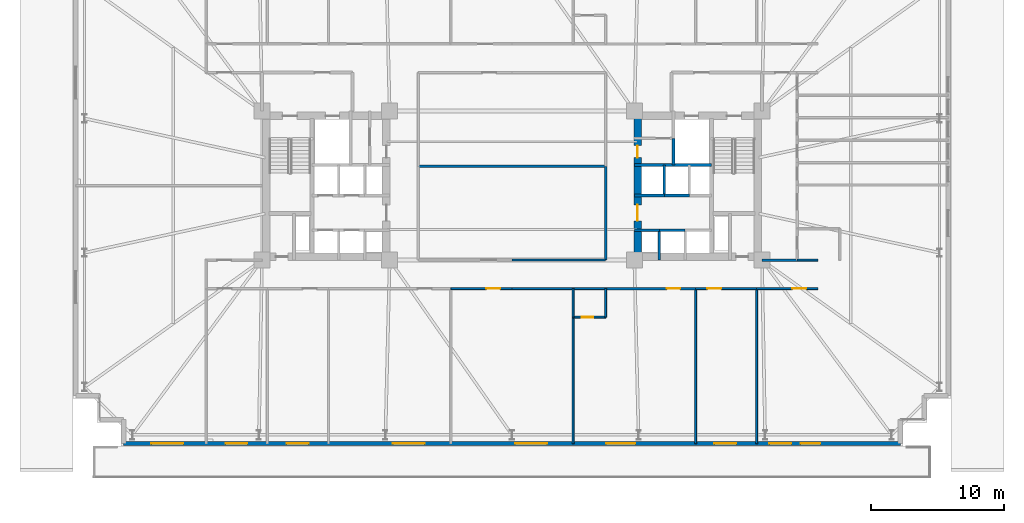
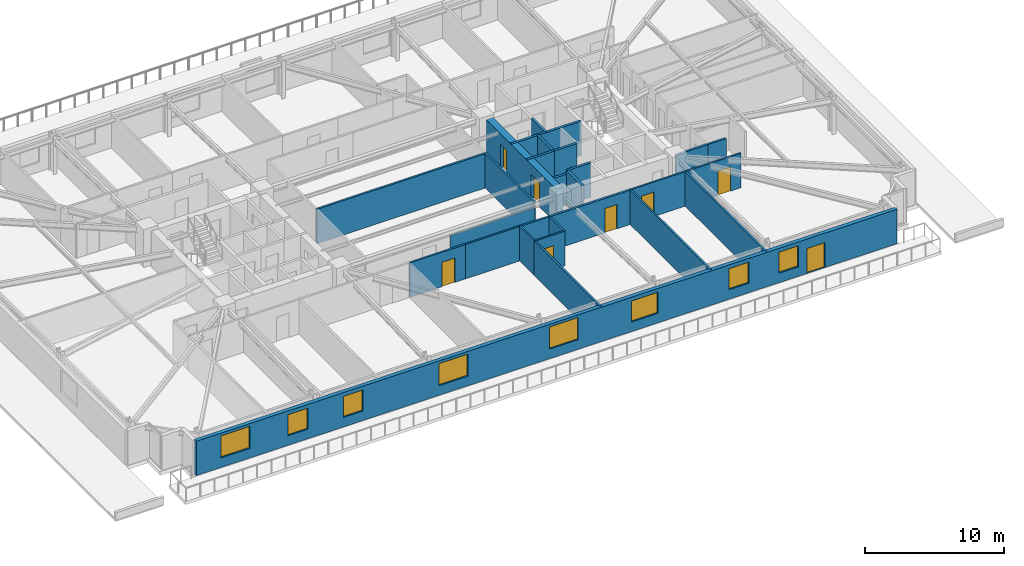
# One storey, part 13 of 21: 27 walls, 8 doors, 8 windows, 16 openings.
"""IFC4 building model written with IfcOpenShell, lengths in metres."""

from ifc_helpers import new_model, si_unit, direction, frame, frame_2d, origin, place, context, subcontext, project, spatial, rectangle, extrude, material, layer, layer_set, type_object, element, fill, save


model = new_model("IFC4")

# Units and contexts
model_context = context("Model", 3, precision=1e-05, world=origin(), true_north=direction((0.0, 1.0)))
body_context = subcontext(model_context, "Body", "Model", "MODEL_VIEW")
ifc_project = project(units=[si_unit("LENGTHUNIT", "METRE"), si_unit("AREAUNIT", "SQUARE_METRE"), si_unit("VOLUMEUNIT", "CUBIC_METRE"), si_unit("PLANEANGLEUNIT", "RADIAN"), si_unit("MASSUNIT", "GRAM", prefix="KILO")], contexts=[model_context])

# Site, building, storey
site_placement = place(None, origin())
site = spatial("IfcSite", under=ifc_project, at=site_placement, CompositionType="ELEMENT")
building_placement = place(site_placement, origin())
building = spatial("IfcBuilding", under=site, at=building_placement, Name="Qobustan Lattice House", CompositionType="ELEMENT")
storey_placement = place(building_placement, frame((0.0, 0.0, 27.0)))
storey = spatial("IfcBuildingStorey", under=building, at=storey_placement, Name="L06", CompositionType="ELEMENT", Elevation=27.0)

# Wall, openings, doors
ifc_material_1 = material(Name="Concrete C60/75", Category="concrete")
ifc_layer_1 = layer(ifc_material_1, 0.56005859375)
ifc_layer_set_1 = layer_set([ifc_layer_1], Name="Concrete C60/75")
wall_type_1 = type_object("IfcWallType", Name="WAL-CORE-600", PredefinedType="SHEAR", material=ifc_layer_set_1)
wall_1_placement = place(storey_placement, frame((9.449951171875, -5.050048828125, 0.0), z_axis=(0.0, 0.0, 1.0), x_axis=(0.0, 1.0, 0.0)))
wall_1 = element("IfcWall", 1, at=wall_1_placement, inside=storey, type_object=wall_type_1, Name="L06 split-core shear wall CE-W", PredefinedType="SHEAR", context=body_context, shape_type="SweptSolid", body=[
    extrude(rectangle(XDim=10.10009765625, YDim=0.56005859375, at=frame_2d((5.050048828125, 0.0))), origin(), (0.0, 0.0, 1.0), 3.034912109375),
])
opening_1_placement = place(wall_1_placement, frame((7.14990234375, 0.0, 0.0)))
opening_1 = element("IfcOpeningElement", 2, at=opening_1_placement, cuts=wall_1, Name="Opening RD-01", PredefinedType="OPENING", context=body_context, shape_type="SweptSolid", body=[
    extrude(rectangle(XDim=0.89990234375, YDim=2.10009765625, at=frame_2d((0.449951171875, 1.050048828125))), frame((0.0, 0.2900390625, 0.0), z_axis=(0.0, -1.0, 0.0), x_axis=(1.0, 0.0, 0.0)), (0.0, 0.0, 1.0), 0.580078125),
])
opening_2_placement = place(wall_1_placement, frame((2.39990234375, 0.0, 0.0)))
opening_2 = element("IfcOpeningElement", 3, at=opening_2_placement, cuts=wall_1, Name="Opening FD-01", PredefinedType="OPENING", context=body_context, shape_type="SweptSolid", body=[
    extrude(rectangle(XDim=1.199951171875, YDim=2.14990234375, at=frame_2d((0.60009765625, 1.074951171875))), frame((0.0, 0.2900390625, 0.0), z_axis=(0.0, -1.0, 0.0), x_axis=(1.0, 0.0, 0.0)), (0.0, 0.0, 1.0), 0.580078125),
])
ifc_material_2 = material(Name="Persian walnut timber and steel frame door", Category="steel")
door_type_1 = type_object("IfcDoorType", Name="DOR-LOBBY-FD-1200x2150", OperationType="NOTDEFINED", PredefinedType="DOOR", material=ifc_material_2)
door_1_placement = place(opening_2_placement, origin())
door_1 = element("IfcDoor", 4, at=door_1_placement, inside=storey, type_object=door_type_1, Name="L06 East passenger lift lobby fire door", OperationType="SINGLE_SWING_LEFT", OverallHeight=2.14990234375, OverallWidth=1.199951171875, PredefinedType="DOOR", context=body_context, shape_type="SweptSolid", body=[
    extrude(rectangle(XDim=1.199951171875, YDim=2.14990234375, at=frame_2d((0.60009765625, 1.074951171875))), frame((0.0, 0.02490234375, 0.0), z_axis=(0.0, -1.0, 0.0), x_axis=(1.0, 0.0, 0.0)), (0.0, 0.0, 1.0), 0.050048828125),
])
fill(opening_2, door_1)
ifc_material_3 = material(Name="Persian walnut timber and steel frame door", Category="steel")
door_type_2 = type_object("IfcDoorType", Name="DOR-RISER-FD-900x2100", OperationType="NOTDEFINED", PredefinedType="DOOR", material=ifc_material_3)
door_2_placement = place(opening_1_placement, origin())
door_2 = element("IfcDoor", 5, at=door_2_placement, inside=storey, type_object=door_type_2, Name="L06 Housekeeping utility foyer fire door", OperationType="SINGLE_SWING_RIGHT", OverallHeight=2.10009765625, OverallWidth=0.89990234375, PredefinedType="DOOR", context=body_context, shape_type="SweptSolid", body=[
    extrude(rectangle(XDim=0.89990234375, YDim=2.10009765625, at=frame_2d((0.449951171875, 1.050048828125))), frame((0.0, 0.02490234375, 0.0), z_axis=(0.0, -1.0, 0.0), x_axis=(1.0, 0.0, 0.0)), (0.0, 0.0, 1.0), 0.050048828125),
])
fill(opening_1, door_2)

# Wall, openings, door, windows
ifc_material_4 = material(Name="Precast concrete C40/50", Category="concrete")
ifc_layer_2 = layer(ifc_material_4, 0.320068359375)
ifc_layer_set_2 = layer_set([ifc_layer_2], Name="Precast concrete C40/50")
wall_type_2 = type_object("IfcWallType", Name="WAL-EXT-STONE-320", PredefinedType="SOLIDWALL", material=ifc_layer_set_2)
wall_2_placement = place(storey_placement, frame((29.199951171875, -19.39990234375, 0.0), z_axis=(0.0, 0.0, 1.0), x_axis=(-1.0, 0.0, 0.0)))
wall_2 = element("IfcWall", 6, at=wall_2_placement, inside=storey, type_object=wall_type_2, Name="L06 exterior limestone-clad wall 20", PredefinedType="SOLIDWALL", context=body_context, shape_type="SweptSolid", body=[
    extrude(rectangle(XDim=58.39990234375, YDim=0.320068359375, at=frame_2d((29.199951171875, 0.0))), origin(), (0.0, 0.0, 1.0), 3.034912109375),
])
opening_3_placement = place(wall_2_placement, frame((6.0, 0.0, 0.0)))
opening_3 = element("IfcOpeningElement", 7, at=opening_3_placement, cuts=wall_2, Name="Opening TD-02", PredefinedType="OPENING", context=body_context, shape_type="SweptSolid", body=[
    extrude(rectangle(XDim=1.5, YDim=2.199951171875, at=frame_2d((0.75, 1.10009765625))), frame((0.0, 0.169921875, 0.0), z_axis=(0.0, -1.0, 0.0), x_axis=(1.0, 0.0, 0.0)), (0.0, 0.0, 1.0), 0.340087890625),
])
opening_4_placement = place(wall_2_placement, frame((8.197509765625, 0.0, 0.85009765625)))
opening_4 = element("IfcOpeningElement", 8, at=opening_4_placement, cuts=wall_2, Name="Opening WN-09", PredefinedType="OPENING", context=body_context, shape_type="SweptSolid", body=[
    extrude(rectangle(XDim=1.64990234375, YDim=1.85009765625, at=frame_2d((0.824951171875, 0.925048828125))), frame((0.0, 0.169921875, 0.0), z_axis=(0.0, -1.0, 0.0), x_axis=(1.0, 0.0, 0.0)), (0.0, 0.0, 1.0), 0.340087890625),
])
opening_5_placement = place(wall_2_placement, frame((12.3349609375, 0.0, 0.85009765625)))
opening_5 = element("IfcOpeningElement", 9, at=opening_5_placement, cuts=wall_2, Name="Opening WN-09", PredefinedType="OPENING", context=body_context, shape_type="SweptSolid", body=[
    extrude(rectangle(XDim=1.64990234375, YDim=1.85009765625, at=frame_2d((0.824951171875, 0.925048828125))), frame((0.0, 0.169921875, 0.0), z_axis=(0.0, -1.0, 0.0), x_axis=(1.0, 0.0, 0.0)), (0.0, 0.0, 1.0), 0.340087890625),
])
opening_6_placement = place(wall_2_placement, frame((19.924072265625, 0.0, 0.85009765625)))
opening_6 = element("IfcOpeningElement", 10, at=opening_6_placement, cuts=wall_2, Name="Opening WN-03", PredefinedType="OPENING", context=body_context, shape_type="SweptSolid", body=[
    extrude(rectangle(XDim=2.199951171875, YDim=1.85009765625, at=frame_2d((1.10009765625, 0.925048828125))), frame((0.0, 0.169921875, 0.0), z_axis=(0.0, -1.0, 0.0), x_axis=(1.0, 0.0, 0.0)), (0.0, 0.0, 1.0), 0.340087890625),
])
opening_7_placement = place(wall_2_placement, frame((26.56494140625, 0.0, 0.85009765625)))
opening_7 = element("IfcOpeningElement", 11, at=opening_7_placement, cuts=wall_2, Name="Opening WN-10", PredefinedType="OPENING", context=body_context, shape_type="SweptSolid", body=[
    extrude(rectangle(XDim=2.39990234375, YDim=1.949951171875, at=frame_2d((1.199951171875, 0.97509765625))), frame((0.0, 0.169921875, 0.0), z_axis=(0.0, -1.0, 0.0), x_axis=(1.0, 0.0, 0.0)), (0.0, 0.0, 1.0), 0.340087890625),
])
opening_8_placement = place(wall_2_placement, frame((35.764892578125, 0.0, 0.85009765625)))
opening_8 = element("IfcOpeningElement", 12, at=opening_8_placement, cuts=wall_2, Name="Opening WN-10", PredefinedType="OPENING", context=body_context, shape_type="SweptSolid", body=[
    extrude(rectangle(XDim=2.39990234375, YDim=1.949951171875, at=frame_2d((1.199951171875, 0.97509765625))), frame((0.0, 0.169921875, 0.0), z_axis=(0.0, -1.0, 0.0), x_axis=(1.0, 0.0, 0.0)), (0.0, 0.0, 1.0), 0.340087890625),
])
opening_9_placement = place(wall_2_placement, frame((44.4951171875, 0.0, 0.85009765625)))
opening_9 = element("IfcOpeningElement", 13, at=opening_9_placement, cuts=wall_2, Name="Opening WN-09", PredefinedType="OPENING", context=body_context, shape_type="SweptSolid", body=[
    extrude(rectangle(XDim=1.64990234375, YDim=1.85009765625, at=frame_2d((0.824951171875, 0.925048828125))), frame((0.0, 0.169921875, 0.0), z_axis=(0.0, -1.0, 0.0), x_axis=(1.0, 0.0, 0.0)), (0.0, 0.0, 1.0), 0.340087890625),
])
opening_10_placement = place(wall_2_placement, frame((49.094970703125, 0.0, 0.85009765625)))
opening_10 = element("IfcOpeningElement", 14, at=opening_10_placement, cuts=wall_2, Name="Opening WN-09", PredefinedType="OPENING", context=body_context, shape_type="SweptSolid", body=[
    extrude(rectangle(XDim=1.64990234375, YDim=1.85009765625, at=frame_2d((0.824951171875, 0.925048828125))), frame((0.0, 0.169921875, 0.0), z_axis=(0.0, -1.0, 0.0), x_axis=(1.0, 0.0, 0.0)), (0.0, 0.0, 1.0), 0.340087890625),
])
opening_11_placement = place(wall_2_placement, frame((53.919921875, 0.0, 0.85009765625)))
opening_11 = element("IfcOpeningElement", 15, at=opening_11_placement, cuts=wall_2, Name="Opening WN-10", PredefinedType="OPENING", context=body_context, shape_type="SweptSolid", body=[
    extrude(rectangle(XDim=2.39990234375, YDim=1.949951171875, at=frame_2d((1.199951171875, 0.97509765625))), frame((0.0, 0.169921875, 0.0), z_axis=(0.0, -1.0, 0.0), x_axis=(1.0, 0.0, 0.0)), (0.0, 0.0, 1.0), 0.340087890625),
])
ifc_material_5 = material(Name="Thermally broken anodised aluminium glazed door", Category="aluminium")
door_type_3 = type_object("IfcDoorType", Name="DOR-EXT-GARD-1500x2200", OperationType="NOTDEFINED", PredefinedType="DOOR", material=ifc_material_5)
door_3_placement = place(opening_3_placement, origin())
door_3 = element("IfcDoor", 16, at=door_3_placement, inside=storey, type_object=door_type_3, Name="L06 outdoor terrace access door", OperationType="SINGLE_SWING_LEFT", OverallHeight=2.199951171875, OverallWidth=1.5, PredefinedType="DOOR", context=body_context, shape_type="SweptSolid", body=[
    extrude(rectangle(XDim=1.5, YDim=2.199951171875, at=frame_2d((0.75, 1.10009765625))), frame((0.0, 0.02490234375, 0.0), z_axis=(0.0, -1.0, 0.0), x_axis=(1.0, 0.0, 0.0)), (0.0, 0.0, 1.0), 0.050048828125),
])
fill(opening_3, door_3)
ifc_material_6 = material(Name="Double-glazed low-E aluminium window", Category="aluminium")
window_type_1 = type_object("IfcWindowType", Name="WIN-LNG-2400x1950", PartitioningType="SINGLE_PANEL", PredefinedType="WINDOW", material=ifc_material_6)
window_1_placement = place(opening_7_placement, origin())
window_1 = element("IfcWindow", 17, at=window_1_placement, inside=storey, type_object=window_type_1, Name="L06 Garden terrace reading salon S3 window", OverallHeight=1.949951171875, OverallWidth=2.39990234375, PartitioningType="SINGLE_PANEL", PredefinedType="WINDOW", context=body_context, shape_type="SweptSolid", body=[
    extrude(rectangle(XDim=2.39990234375, YDim=1.949951171875, at=frame_2d((1.199951171875, 0.97509765625))), frame((0.0, 0.030029296875, 0.0), z_axis=(0.0, -1.0, 0.0), x_axis=(1.0, 0.0, 0.0)), (0.0, 0.0, 1.0), 0.06005859375),
])
fill(opening_7, window_1)
window_2_placement = place(opening_8_placement, origin())
window_2 = element("IfcWindow", 18, at=window_2_placement, inside=storey, type_object=window_type_1, Name="L06 Sky terrace lounge S2 window", OverallHeight=1.949951171875, OverallWidth=2.39990234375, PartitioningType="SINGLE_PANEL", PredefinedType="WINDOW", context=body_context, shape_type="SweptSolid", body=[
    extrude(rectangle(XDim=2.39990234375, YDim=1.949951171875, at=frame_2d((1.199951171875, 0.97509765625))), frame((0.0, 0.030029296875, 0.0), z_axis=(0.0, -1.0, 0.0), x_axis=(1.0, 0.0, 0.0)), (0.0, 0.0, 1.0), 0.06005859375),
])
fill(opening_8, window_2)
window_3_placement = place(opening_11_placement, origin())
window_3 = element("IfcWindow", 19, at=window_3_placement, inside=storey, type_object=window_type_1, Name="L06 Chahar-bagh south lounge window", OverallHeight=1.949951171875, OverallWidth=2.39990234375, PartitioningType="SINGLE_PANEL", PredefinedType="WINDOW", context=body_context, shape_type="SweptSolid", body=[
    extrude(rectangle(XDim=2.39990234375, YDim=1.949951171875, at=frame_2d((1.199951171875, 0.97509765625))), frame((0.0, 0.030029296875, 0.0), z_axis=(0.0, -1.0, 0.0), x_axis=(1.0, 0.0, 0.0)), (0.0, 0.0, 1.0), 0.06005859375),
])
fill(opening_11, window_3)
ifc_material_7 = material(Name="Double-glazed low-E aluminium window", Category="aluminium")
window_type_2 = type_object("IfcWindowType", Name="WIN-STU-1650x1850", PartitioningType="SINGLE_PANEL", PredefinedType="WINDOW", material=ifc_material_7)
window_4_placement = place(opening_4_placement, origin())
window_4 = element("IfcWindow", 20, at=window_4_placement, inside=storey, type_object=window_type_2, Name="L06 Academic seminar room window", OverallHeight=1.85009765625, OverallWidth=1.64990234375, PartitioningType="SINGLE_PANEL", PredefinedType="WINDOW", context=body_context, shape_type="SweptSolid", body=[
    extrude(rectangle(XDim=1.64990234375, YDim=1.85009765625, at=frame_2d((0.824951171875, 0.925048828125))), frame((0.0, 0.030029296875, 0.0), z_axis=(0.0, -1.0, 0.0), x_axis=(1.0, 0.0, 0.0)), (0.0, 0.0, 1.0), 0.06005859375),
])
fill(opening_4, window_4)
window_5_placement = place(opening_5_placement, origin())
window_5 = element("IfcWindow", 21, at=window_5_placement, inside=storey, type_object=window_type_2, Name="L06 Group study room window", OverallHeight=1.85009765625, OverallWidth=1.64990234375, PartitioningType="SINGLE_PANEL", PredefinedType="WINDOW", context=body_context, shape_type="SweptSolid", body=[
    extrude(rectangle(XDim=1.64990234375, YDim=1.85009765625, at=frame_2d((0.824951171875, 0.925048828125))), frame((0.0, 0.030029296875, 0.0), z_axis=(0.0, -1.0, 0.0), x_axis=(1.0, 0.0, 0.0)), (0.0, 0.0, 1.0), 0.06005859375),
])
fill(opening_5, window_5)
window_6_placement = place(opening_9_placement, origin())
window_6 = element("IfcWindow", 22, at=window_6_placement, inside=storey, type_object=window_type_2, Name="L06 Focus study room S1B window", OverallHeight=1.85009765625, OverallWidth=1.64990234375, PartitioningType="SINGLE_PANEL", PredefinedType="WINDOW", context=body_context, shape_type="SweptSolid", body=[
    extrude(rectangle(XDim=1.64990234375, YDim=1.85009765625, at=frame_2d((0.824951171875, 0.925048828125))), frame((0.0, 0.030029296875, 0.0), z_axis=(0.0, -1.0, 0.0), x_axis=(1.0, 0.0, 0.0)), (0.0, 0.0, 1.0), 0.06005859375),
])
fill(opening_9, window_6)
window_7_placement = place(opening_10_placement, origin())
window_7 = element("IfcWindow", 23, at=window_7_placement, inside=storey, type_object=window_type_2, Name="L06 Focus study room S1A window", OverallHeight=1.85009765625, OverallWidth=1.64990234375, PartitioningType="SINGLE_PANEL", PredefinedType="WINDOW", context=body_context, shape_type="SweptSolid", body=[
    extrude(rectangle(XDim=1.64990234375, YDim=1.85009765625, at=frame_2d((0.824951171875, 0.925048828125))), frame((0.0, 0.030029296875, 0.0), z_axis=(0.0, -1.0, 0.0), x_axis=(1.0, 0.0, 0.0)), (0.0, 0.0, 1.0), 0.06005859375),
])
fill(opening_10, window_7)
ifc_material_8 = material(Name="Double-glazed low-E aluminium window", Category="aluminium")
window_type_3 = type_object("IfcWindowType", Name="WIN-WIDE-2200x1850", PartitioningType="SINGLE_PANEL", PredefinedType="WINDOW", material=ifc_material_8)
window_8_placement = place(opening_6_placement, origin())
window_8 = element("IfcWindow", 24, at=window_8_placement, inside=storey, type_object=window_type_3, Name="L06 Kitchenette and studio apartment L06-S4 window", OverallHeight=1.85009765625, OverallWidth=2.199951171875, PartitioningType="SINGLE_PANEL", PredefinedType="WINDOW", context=body_context, shape_type="SweptSolid", body=[
    extrude(rectangle(XDim=2.199951171875, YDim=1.85009765625, at=frame_2d((1.10009765625, 0.925048828125))), frame((0.0, 0.030029296875, 0.0), z_axis=(0.0, -1.0, 0.0), x_axis=(1.0, 0.0, 0.0)), (0.0, 0.0, 1.0), 0.06005859375),
])
fill(opening_6, window_8)

# Wall
ifc_material_9 = material(Name="Gypsum fireboard acoustic partition", Category="gypsum")
ifc_layer_3 = layer(ifc_material_9, 0.179931640625)
ifc_layer_set_3 = layer_set([ifc_layer_3], Name="Gypsum fireboard acoustic partition")
wall_type_3 = type_object("IfcWallType", Name="WAL-FIRE-180", PredefinedType="PARTITIONING", material=ifc_layer_set_3)
wall_3_placement = place(storey_placement, frame((18.800048828125, -5.60009765625, 0.0), z_axis=(0.0, 0.0, 1.0), x_axis=(1.0, 0.0, 0.0)))
element("IfcWall", 25, at=wall_3_placement, inside=storey, type_object=wall_type_3, Name="L06 interior partition 60", PredefinedType="PARTITIONING", context=body_context, shape_type="SweptSolid", body=[
    extrude(rectangle(XDim=2.64990234375, YDim=0.179931640625, at=frame_2d((1.324951171875, 0.0))), origin(), (0.0, 0.0, 1.0), 3.034912109375),
])

# Wall, opening, door
wall_4_placement = place(storey_placement, frame((13.800048828125, -7.75, 0.0), z_axis=(0.0, 0.0, 1.0), x_axis=(-1.0, 0.0, 0.0)))
wall_4 = element("IfcWall", 26, at=wall_4_placement, inside=storey, type_object=wall_type_3, Name="L06 interior partition 63", PredefinedType="PARTITIONING", context=body_context, shape_type="SweptSolid", body=[
    extrude(rectangle(XDim=6.75, YDim=0.179931640625, at=frame_2d((3.375, 0.0))), origin(), (0.0, 0.0, 1.0), 3.034912109375),
])
opening_12_placement = place(wall_4_placement, frame((1.15380859375, 0.0, 0.0)))
opening_12 = element("IfcOpeningElement", 27, at=opening_12_placement, cuts=wall_4, Name="Opening FD-02", PredefinedType="OPENING", context=body_context, shape_type="SweptSolid", body=[
    extrude(rectangle(XDim=1.0, YDim=2.14990234375, at=frame_2d((0.5, 1.074951171875))), frame((0.0, 0.099853515625, 0.0), z_axis=(0.0, -1.0, 0.0), x_axis=(1.0, 0.0, 0.0)), (0.0, 0.0, 1.0), 0.199951171875),
])
ifc_material_10 = material(Name="Persian walnut timber and steel frame door", Category="steel")
door_type_4 = type_object("IfcDoorType", Name="DOR-UNIT-FD-1000x2150", OperationType="NOTDEFINED", PredefinedType="DOOR", material=ifc_material_10)
door_4_placement = place(opening_12_placement, origin())
door_4 = element("IfcDoor", 28, at=door_4_placement, inside=storey, type_object=door_type_4, Name="L06 South-east floor corridor to Kitchenette and studio apartment L06-S4 door", OperationType="SINGLE_SWING_RIGHT", OverallHeight=2.14990234375, OverallWidth=1.0, PredefinedType="DOOR", context=body_context, shape_type="SweptSolid", body=[
    extrude(rectangle(XDim=1.0, YDim=2.14990234375, at=frame_2d((0.5, 1.074951171875))), frame((0.0, 0.02490234375, 0.0), z_axis=(0.0, -1.0, 0.0), x_axis=(1.0, 0.0, 0.0)), (0.0, 0.0, 1.0), 0.050048828125),
])
fill(opening_12, door_4)

ifc_material_11 = material(Name="Acoustic twin-stud gypsum partition", Category="gypsum")
ifc_layer_4 = layer(ifc_material_11, 0.14990234375)
ifc_layer_set_4 = layer_set([ifc_layer_4], Name="Acoustic twin-stud gypsum partition")
wall_type_4 = type_object("IfcWallType", Name="WAL-PART-150", PredefinedType="PARTITIONING", material=ifc_layer_set_4)
wall_5_placement = place(storey_placement, frame((0.0, -7.75, 0.0), z_axis=(0.0, 0.0, 1.0), x_axis=(-1.0, 0.0, 0.0)))
wall_5 = element("IfcWall", 29, at=wall_5_placement, inside=storey, type_object=wall_type_4, Name="L06 interior partition 58", PredefinedType="PARTITIONING", context=body_context, shape_type="SweptSolid", body=[
    extrude(rectangle(XDim=4.60009765625, YDim=0.14990234375, at=frame_2d((2.300048828125, 0.0))), origin(), (0.0, 0.0, 1.0), 3.034912109375),
])
opening_13_placement = place(wall_5_placement, frame((0.87890625, 0.0, 0.0)))
opening_13 = element("IfcOpeningElement", 30, at=opening_13_placement, cuts=wall_5, Name="Opening ID-02", PredefinedType="OPENING", context=body_context, shape_type="SweptSolid", body=[
    extrude(rectangle(XDim=1.050048828125, YDim=2.14990234375, at=frame_2d((0.52490234375, 1.074951171875))), frame((0.0, 0.0849609375, 0.0), z_axis=(0.0, -1.0, 0.0), x_axis=(1.0, 0.0, 0.0)), (0.0, 0.0, 1.0), 0.169921875),
])
ifc_material_12 = material(Name="Persian walnut timber and steel frame door", Category="steel")
door_type_5 = type_object("IfcDoorType", Name="DOR-STUDY-1050x2150", OperationType="NOTDEFINED", PredefinedType="DOOR", material=ifc_material_12)
door_5_placement = place(opening_13_placement, origin())
door_5 = element("IfcDoor", 31, at=door_5_placement, inside=storey, type_object=door_type_5, Name="L06 South-west floor corridor to Garden terrace reading salon S3 door", OperationType="SINGLE_SWING_RIGHT", OverallHeight=2.14990234375, OverallWidth=1.050048828125, PredefinedType="DOOR", context=body_context, shape_type="SweptSolid", body=[
    extrude(rectangle(XDim=1.050048828125, YDim=2.14990234375, at=frame_2d((0.52490234375, 1.074951171875))), frame((0.0, 0.02490234375, 0.0), z_axis=(0.0, -1.0, 0.0), x_axis=(1.0, 0.0, 0.0)), (0.0, 0.0, 1.0), 0.050048828125),
])
fill(opening_13, door_5)

# Wall
wall_6_placement = place(storey_placement, frame((4.60009765625, -7.75, 0.0), z_axis=(0.0, 0.0, 1.0), x_axis=(-1.0, 0.0, 0.0)))
element("IfcWall", 32, at=wall_6_placement, inside=storey, type_object=wall_type_4, Name="L06 interior partition 62", PredefinedType="PARTITIONING", context=body_context, shape_type="SweptSolid", body=[
    extrude(rectangle(XDim=4.60009765625, YDim=0.14990234375, at=frame_2d((2.300048828125, 0.0))), origin(), (0.0, 0.0, 1.0), 3.034912109375),
])

# Wall, opening, door
wall_7_placement = place(storey_placement, frame((18.39990234375, -7.75, 0.0), z_axis=(0.0, 0.0, 1.0), x_axis=(-1.0, 0.0, 0.0)))
wall_7 = element("IfcWall", 33, at=wall_7_placement, inside=storey, type_object=wall_type_4, Name="L06 interior partition 65", PredefinedType="PARTITIONING", context=body_context, shape_type="SweptSolid", body=[
    extrude(rectangle(XDim=4.599853515625, YDim=0.14990234375, at=frame_2d((2.2998046875, 0.0))), origin(), (0.0, 0.0, 1.0), 3.034912109375),
])
opening_14_placement = place(wall_7_placement, frame((2.671142578125, 0.0, 0.0)))
opening_14 = element("IfcOpeningElement", 34, at=opening_14_placement, cuts=wall_7, Name="Opening ID-02", PredefinedType="OPENING", context=body_context, shape_type="SweptSolid", body=[
    extrude(rectangle(XDim=1.050048828125, YDim=2.14990234375, at=frame_2d((0.52490234375, 1.074951171875))), frame((0.0, 0.0849609375, 0.0), z_axis=(0.0, -1.0, 0.0), x_axis=(1.0, 0.0, 0.0)), (0.0, 0.0, 1.0), 0.169921875),
])
door_6_placement = place(opening_14_placement, origin())
door_6 = element("IfcDoor", 35, at=door_6_placement, inside=storey, type_object=door_type_5, Name="L06 South-east floor corridor to Group study room door", OperationType="SINGLE_SWING_LEFT", OverallHeight=2.14990234375, OverallWidth=1.050048828125, PredefinedType="DOOR", context=body_context, shape_type="SweptSolid", body=[
    extrude(rectangle(XDim=1.050048828125, YDim=2.14990234375, at=frame_2d((0.52490234375, 1.074951171875))), frame((0.0, 0.02490234375, 0.0), z_axis=(0.0, -1.0, 0.0), x_axis=(1.0, 0.0, 0.0)), (0.0, 0.0, 1.0), 0.050048828125),
])
fill(opening_14, door_6)

wall_8_placement = place(storey_placement, frame((23.0, -7.75, 0.0), z_axis=(0.0, 0.0, 1.0), x_axis=(-1.0, 0.0, 0.0)))
wall_8 = element("IfcWall", 36, at=wall_8_placement, inside=storey, type_object=wall_type_4, Name="L06 interior partition 66", PredefinedType="PARTITIONING", context=body_context, shape_type="SweptSolid", body=[
    extrude(rectangle(XDim=4.60009765625, YDim=0.14990234375, at=frame_2d((2.300048828125, 0.0))), origin(), (0.0, 0.0, 1.0), 3.034912109375),
])
opening_15_placement = place(wall_8_placement, frame((0.87890625, 0.0, 0.0)))
opening_15 = element("IfcOpeningElement", 37, at=opening_15_placement, cuts=wall_8, Name="Opening ID-02", PredefinedType="OPENING", context=body_context, shape_type="SweptSolid", body=[
    extrude(rectangle(XDim=1.050048828125, YDim=2.14990234375, at=frame_2d((0.52490234375, 1.074951171875))), frame((0.0, 0.0849609375, 0.0), z_axis=(0.0, -1.0, 0.0), x_axis=(1.0, 0.0, 0.0)), (0.0, 0.0, 1.0), 0.169921875),
])
door_7_placement = place(opening_15_placement, origin())
door_7 = element("IfcDoor", 38, at=door_7_placement, inside=storey, type_object=door_type_5, Name="L06 South-east floor corridor to Academic seminar room door", OperationType="SINGLE_SWING_RIGHT", OverallHeight=2.14990234375, OverallWidth=1.050048828125, PredefinedType="DOOR", context=body_context, shape_type="SweptSolid", body=[
    extrude(rectangle(XDim=1.050048828125, YDim=2.14990234375, at=frame_2d((0.52490234375, 1.074951171875))), frame((0.0, 0.02490234375, 0.0), z_axis=(0.0, -1.0, 0.0), x_axis=(1.0, 0.0, 0.0)), (0.0, 0.0, 1.0), 0.050048828125),
])
fill(opening_15, door_7)

# Walls
wall_9_placement = place(storey_placement, frame((4.60009765625, -9.89990234375, 0.0), z_axis=(0.0, 0.0, 1.0), x_axis=(0.0, -1.0, 0.0)))
element("IfcWall", 39, at=wall_9_placement, inside=storey, type_object=wall_type_4, Name="L06 interior partition 101", PredefinedType="PARTITIONING", context=body_context, shape_type="SweptSolid", body=[
    extrude(rectangle(XDim=9.5, YDim=0.14990234375, at=frame_2d((4.75, 0.0))), origin(), (0.0, 0.0, 1.0), 3.034912109375),
])
for number, where, z_axis, x_axis, name in (
    (40, (13.800048828125, -7.75, 0.0), (0.0, 0.0, 1.0), (0.0, -1.0, 0.0), "L06 interior partition 105"),
    (41, (18.39990234375, -7.75, 0.0), (0.0, 0.0, 1.0), (0.0, -1.0, 0.0), "L06 interior partition 106"),
):
    element("IfcWall", number, at=place(storey_placement, frame(where, z_axis=z_axis, x_axis=x_axis)), inside=storey, type_object=wall_type_4, Name=name, PredefinedType="PARTITIONING", context=body_context, shape_type="SweptSolid", body=[
        extrude(rectangle(XDim=11.64990234375, YDim=0.14990234375, at=frame_2d((5.824951171875, 0.0))), origin(), (0.0, 0.0, 1.0), 3.034912109375),
    ])
ifc_material_13 = material(Name="High-mass acoustic twin-stud partition", Category="gypsum")
ifc_layer_5 = layer(ifc_material_13, 0.1650390625)
ifc_layer_set_5 = layer_set([ifc_layer_5], Name="High-mass acoustic twin-stud partition")
wall_type_5 = type_object("IfcWallType", Name="WAL-PART-165", PredefinedType="PARTITIONING", material=ifc_layer_set_5)
wall_10_placement = place(storey_placement, frame((0.0, -5.60009765625, 0.0), z_axis=(0.0, 0.0, 1.0), x_axis=(1.0, 0.0, 0.0)))
element("IfcWall", 42, at=wall_10_placement, inside=storey, type_object=wall_type_5, Name="L06 interior partition 67", PredefinedType="PARTITIONING", context=body_context, shape_type="SweptSolid", body=[
    extrude(rectangle(XDim=7.050048828125, YDim=0.1650390625, at=frame_2d((3.52490234375, 0.0))), origin(), (0.0, 0.0, 1.0), 2.52001953125),
])
wall_11_placement = place(storey_placement, frame((7.050048828125, -5.60009765625, 0.0), z_axis=(0.0, 0.0, 1.0), x_axis=(0.0, 1.0, 0.0)))
element("IfcWall", 43, at=wall_11_placement, inside=storey, type_object=wall_type_5, Name="L06 interior partition 70", PredefinedType="PARTITIONING", context=body_context, shape_type="SweptSolid", body=[
    extrude(rectangle(XDim=7.050048828125, YDim=0.1650390625, at=frame_2d((3.52490234375, 0.0))), origin(), (0.0, 0.0, 1.0), 3.034912109375),
])
wall_12_placement = place(storey_placement, frame((-7.050048828125, 1.449951171875, 0.0), z_axis=(0.0, 0.0, 1.0), x_axis=(1.0, 0.0, 0.0)))
element("IfcWall", 44, at=wall_12_placement, inside=storey, type_object=wall_type_5, Name="L06 interior partition 107", PredefinedType="PARTITIONING", context=body_context, shape_type="SweptSolid", body=[
    extrude(rectangle(XDim=14.10009765625, YDim=0.1650390625, at=frame_2d((7.050048828125, 0.0))), origin(), (0.0, 0.0, 1.0), 3.034912109375),
])
ifc_material_14 = material(Name="Concrete C40/50", Category="concrete")
ifc_layer_6 = layer(ifc_material_14, 0.199951171875)
ifc_layer_set_6 = layer_set([ifc_layer_6], Name="Concrete C40/50")
wall_type_6 = type_object("IfcWallType", Name="WAL-SHAFT-200", PredefinedType="PARTITIONING", material=ifc_layer_set_6)
wall_13_placement = place(storey_placement, frame((12.14990234375, 3.550048828125, 0.0), z_axis=(0.0, 0.0, 1.0), x_axis=(0.0, -1.0, 0.0)))
element("IfcWall", 45, at=wall_13_placement, inside=storey, type_object=wall_type_6, Name="L06 interior partition 20", PredefinedType="PARTITIONING", context=body_context, shape_type="SweptSolid", body=[
    extrude(rectangle(XDim=2.0, YDim=0.199951171875, at=frame_2d((1.0, 0.0))), origin(), (0.0, 0.0, 1.0), 3.034912109375),
])
wall_14_placement = place(storey_placement, frame((9.199951171875, -3.35009765625, 0.0), z_axis=(0.0, 0.0, 1.0), x_axis=(1.0, 0.0, 0.0)))
element("IfcWall", 46, at=wall_14_placement, inside=storey, type_object=wall_type_6, Name="L06 interior partition 27", PredefinedType="PARTITIONING", context=body_context, shape_type="SweptSolid", body=[
    extrude(rectangle(XDim=1.880126953125, YDim=0.199951171875, at=frame_2d((0.93994140625, 0.0))), origin(), (0.0, 0.0, 1.0), 2.75),
])
wall_15_placement = place(storey_placement, frame((11.080078125, -3.35009765625, 0.0), z_axis=(0.0, 0.0, 1.0), x_axis=(1.0, 0.0, 0.0)))
element("IfcWall", 47, at=wall_15_placement, inside=storey, type_object=wall_type_6, Name="L06 interior partition 28", PredefinedType="PARTITIONING", context=body_context, shape_type="SweptSolid", body=[
    extrude(rectangle(XDim=1.93994140625, YDim=0.199951171875, at=frame_2d((0.969970703125, 0.0))), origin(), (0.0, 0.0, 1.0), 3.034912109375),
])
wall_16_placement = place(storey_placement, frame((11.4599609375, -0.75, 0.0), z_axis=(0.0, 0.0, 1.0), x_axis=(-1.0, 0.0, 0.0)))
element("IfcWall", 48, at=wall_16_placement, inside=storey, type_object=wall_type_6, Name="L06 interior partition 30", PredefinedType="PARTITIONING", context=body_context, shape_type="SweptSolid", body=[
    extrude(rectangle(XDim=2.260009765625, YDim=0.199951171875, at=frame_2d((1.1298828125, 0.0))), origin(), (0.0, 0.0, 1.0), 3.034912109375),
])
wall_17_placement = place(storey_placement, frame((13.340087890625, -0.75, 0.0), z_axis=(0.0, 0.0, 1.0), x_axis=(-1.0, 0.0, 0.0)))
element("IfcWall", 49, at=wall_17_placement, inside=storey, type_object=wall_type_6, Name="L06 interior partition 31", PredefinedType="PARTITIONING", context=body_context, shape_type="SweptSolid", body=[
    extrude(rectangle(XDim=1.880126953125, YDim=0.199951171875, at=frame_2d((0.93994140625, 0.0))), origin(), (0.0, 0.0, 1.0), 3.034912109375),
])
wall_18_placement = place(storey_placement, frame((11.080078125, -5.60009765625, 0.0), z_axis=(0.0, 0.0, 1.0), x_axis=(0.0, 1.0, 0.0)))
element("IfcWall", 50, at=wall_18_placement, inside=storey, type_object=wall_type_6, Name="L06 interior partition 34", PredefinedType="PARTITIONING", context=body_context, shape_type="SweptSolid", body=[
    extrude(rectangle(XDim=2.25, YDim=0.199951171875, at=frame_2d((1.125, 0.0))), origin(), (0.0, 0.0, 1.0), 3.034912109375),
])
wall_19_placement = place(storey_placement, frame((11.4599609375, -0.75, 0.0), z_axis=(0.0, 0.0, 1.0), x_axis=(0.0, 1.0, 0.0)))
element("IfcWall", 51, at=wall_19_placement, inside=storey, type_object=wall_type_6, Name="L06 interior partition 36", PredefinedType="PARTITIONING", context=body_context, shape_type="SweptSolid", body=[
    extrude(rectangle(XDim=2.300048828125, YDim=0.199951171875, at=frame_2d((1.14990234375, 0.0))), origin(), (0.0, 0.0, 1.0), 3.034912109375),
])
wall_20_placement = place(storey_placement, frame((9.199951171875, 1.550048828125, 0.0), z_axis=(0.0, 0.0, 1.0), x_axis=(1.0, 0.0, 0.0)))
element("IfcWall", 52, at=wall_20_placement, inside=storey, type_object=wall_type_6, Name="L06 interior partition 109", PredefinedType="PARTITIONING", context=body_context, shape_type="SweptSolid", body=[
    extrude(rectangle(XDim=5.820068359375, YDim=0.199951171875, at=frame_2d((2.91015625, 0.0))), origin(), (0.0, 0.0, 1.0), 3.034912109375),
])
ifc_material_15 = material(Name="Moisture-resistant acoustic plumbing wall", Category="gypsum")
ifc_layer_7 = layer(ifc_material_15, 0.14990234375)
ifc_layer_set_7 = layer_set([ifc_layer_7], Name="Moisture-resistant acoustic plumbing wall")
wall_type_7 = type_object("IfcWallType", Name="WAL-WET-150", PredefinedType="PLUMBINGWALL", material=ifc_layer_set_7)
wall_21_placement = place(storey_placement, frame((21.449951171875, -5.60009765625, 0.0), z_axis=(0.0, 0.0, 1.0), x_axis=(1.0, 0.0, 0.0)))
element("IfcWall", 53, at=wall_21_placement, inside=storey, type_object=wall_type_7, Name="L06 interior partition 61", PredefinedType="PLUMBINGWALL", context=body_context, shape_type="SweptSolid", body=[
    extrude(rectangle(XDim=1.550048828125, YDim=0.14990234375, at=frame_2d((0.77490234375, 0.0))), origin(), (0.0, 0.0, 1.0), 3.034912109375),
])
wall_22_placement = place(storey_placement, frame((7.050048828125, -7.75, 0.0), z_axis=(0.0, 0.0, 1.0), x_axis=(-1.0, 0.0, 0.0)))
element("IfcWall", 54, at=wall_22_placement, inside=storey, type_object=wall_type_7, Name="L06 interior partition 64", PredefinedType="PLUMBINGWALL", context=body_context, shape_type="SweptSolid", body=[
    extrude(rectangle(XDim=2.449951171875, YDim=0.14990234375, at=frame_2d((1.22509765625, 0.0))), origin(), (0.0, 0.0, 1.0), 3.034912109375),
])
wall_23_placement = place(storey_placement, frame((4.60009765625, -7.75, 0.0), z_axis=(0.0, 0.0, 1.0), x_axis=(0.0, -1.0, 0.0)))
element("IfcWall", 55, at=wall_23_placement, inside=storey, type_object=wall_type_7, Name="L06 interior partition 102", PredefinedType="PLUMBINGWALL", context=body_context, shape_type="SweptSolid", body=[
    extrude(rectangle(XDim=2.14990234375, YDim=0.14990234375, at=frame_2d((1.074951171875, 0.0))), origin(), (0.0, 0.0, 1.0), 3.034912109375),
])

# Wall, opening, door
wall_24_placement = place(storey_placement, frame((4.60009765625, -9.89990234375, 0.0), z_axis=(0.0, 0.0, 1.0), x_axis=(1.0, 0.0, 0.0)))
wall_24 = element("IfcWall", 56, at=wall_24_placement, inside=storey, type_object=wall_type_7, Name="L06 interior partition 103", PredefinedType="PLUMBINGWALL", context=body_context, shape_type="SweptSolid", body=[
    extrude(rectangle(XDim=2.449951171875, YDim=0.14990234375, at=frame_2d((1.22509765625, 0.0))), origin(), (0.0, 0.0, 1.0), 3.034912109375),
])
opening_16_placement = place(wall_24_placement, frame((0.62890625, 0.0, 0.0)))
opening_16 = element("IfcOpeningElement", 57, at=opening_16_placement, cuts=wall_24, Name="Opening WD-01", PredefinedType="OPENING", context=body_context, shape_type="SweptSolid", body=[
    extrude(rectangle(XDim=0.89990234375, YDim=2.10009765625, at=frame_2d((0.449951171875, 1.050048828125))), frame((0.0, 0.0849609375, 0.0), z_axis=(0.0, -1.0, 0.0), x_axis=(1.0, 0.0, 0.0)), (0.0, 0.0, 1.0), 0.169921875),
])
ifc_material_16 = material(Name="Persian walnut timber and steel frame door", Category="steel")
door_type_6 = type_object("IfcDoorType", Name="DOR-WET-900x2100", OperationType="NOTDEFINED", PredefinedType="DOOR", material=ifc_material_16)
door_8_placement = place(opening_16_placement, origin())
door_8 = element("IfcDoor", 58, at=door_8_placement, inside=storey, type_object=door_type_6, Name="L06 Kitchenette and studio apartment L06-S4 to En-suite bathroom L06-S4 door", OperationType="SINGLE_SWING_LEFT", OverallHeight=2.10009765625, OverallWidth=0.89990234375, PredefinedType="DOOR", context=body_context, shape_type="SweptSolid", body=[
    extrude(rectangle(XDim=0.89990234375, YDim=2.10009765625, at=frame_2d((0.449951171875, 1.050048828125))), frame((0.0, 0.02490234375, 0.0), z_axis=(0.0, -1.0, 0.0), x_axis=(1.0, 0.0, 0.0)), (0.0, 0.0, 1.0), 0.050048828125),
])
fill(opening_16, door_8)

# Wall
wall_25_placement = place(storey_placement, frame((7.050048828125, -9.89990234375, 0.0), z_axis=(0.0, 0.0, 1.0), x_axis=(0.0, 1.0, 0.0)))
element("IfcWall", 59, at=wall_25_placement, inside=storey, type_object=wall_type_7, Name="L06 interior partition 104", PredefinedType="PLUMBINGWALL", context=body_context, shape_type="SweptSolid", body=[
    extrude(rectangle(XDim=2.14990234375, YDim=0.14990234375, at=frame_2d((1.074951171875, 0.0))), origin(), (0.0, 0.0, 1.0), 3.034912109375),
])

save(model, "model.ifc")
